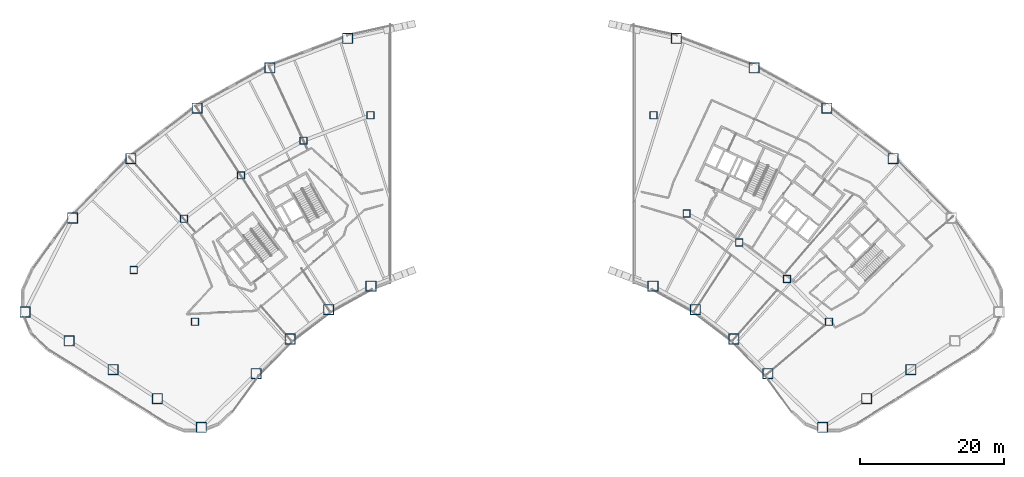
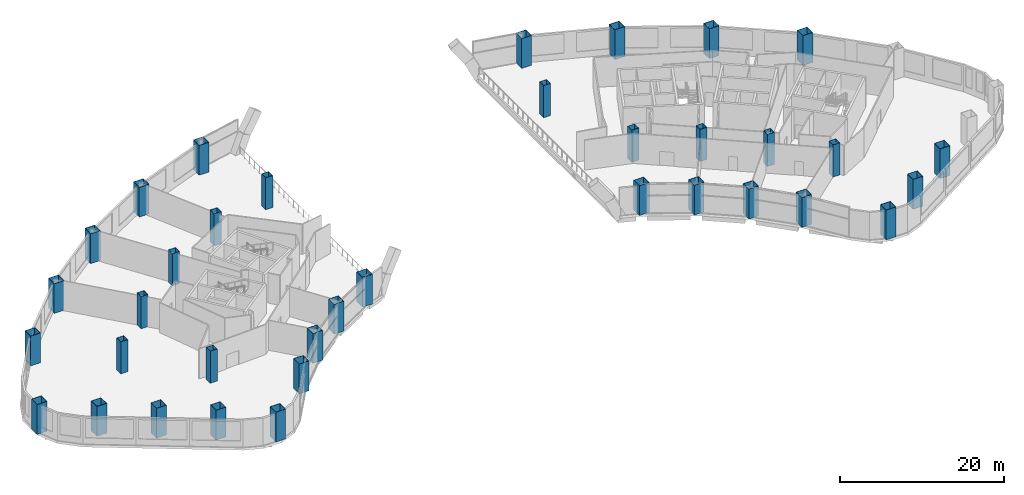
# One storey, part 1 of 20: 36 columns.
"""IFC4 building model written with IfcOpenShell, lengths in metres."""

from ifc_helpers import new_model, si_unit, direction, frame, origin, origin_2d, place, context, subcontext, project, spatial, hollow_rectangle, extrude, material, material_profile, profile_set, type_object, element, save


model = new_model("IFC4")

# Units and contexts
model_context = context("Model", 3, precision=1e-05, world=origin(), true_north=direction((0.0, 1.0)))
body_context = subcontext(model_context, "Body", "Model", "MODEL_VIEW")
ifc_project = project(units=[si_unit("LENGTHUNIT", "METRE"), si_unit("AREAUNIT", "SQUARE_METRE"), si_unit("VOLUMEUNIT", "CUBIC_METRE"), si_unit("PLANEANGLEUNIT", "RADIAN"), si_unit("MASSUNIT", "GRAM", prefix="KILO")], contexts=[model_context])

# Site, building, storey
site_placement = place(None, origin())
site = spatial("IfcSite", under=ifc_project, at=site_placement, CompositionType="ELEMENT")
building_placement = place(site_placement, origin())
building = spatial("IfcBuilding", under=site, at=building_placement, Name="Tuul Gate Civic Tower", CompositionType="ELEMENT")
storey_placement = place(building_placement, frame((0.0, 0.0, 12.300048828125)))
storey = spatial("IfcBuildingStorey", under=building, at=storey_placement, Name="Level 02", CompositionType="ELEMENT", Elevation=12.300048828125)

# Columns
ifc_material_1 = material(Name="Steel S355", Category="steel")
ifc_material_profile_1 = material_profile(ifc_material_1, hollow_rectangle(XDim=1.0, YDim=1.0, WallThickness=0.0400390625, at=origin_2d()), Name="BOX1000x1000x40")
ifc_profile_set_1 = profile_set([ifc_material_profile_1], Name="Steel S355")
column_type_1 = type_object("IfcColumnType", Name="STR-COLUMN-BOX1000x1000x40", PredefinedType="COLUMN", material=ifc_profile_set_1)
for number, where, z_axis, x_axis, name in (
    (1, (-52.471435546875, -15.52392578125, 0.0), (0.0, 0.0, 1.0), (1.0, 0.0, 0.0), "Interior column"),
    (2, (-45.513916015625, -8.42626953125, 0.0), (0.0, 0.0, 1.0), (1.0, 0.0, 0.0), "Interior column"),
    (3, (-37.606689453125, -2.40576171875, 0.0), (0.0, 0.0, 1.0), (1.0, 0.0, 0.0), "Interior column"),
    (4, (-28.9140625, 2.4130859375, 0.0), (0.0, 0.0, 1.0), (1.0, 0.0, 0.0), "Interior column"),
    (5, (-19.617919921875, 5.927978515625, 0.0), (0.0, 0.0, 1.0), (1.0, 0.0, 0.0), "Interior column"),
    (6, (19.617919921875, 5.927978515625, 0.0), (0.0, 0.0, 1.0), (1.0, 0.0, 0.0), "Interior column"),
    (7, (-43.981689453125, -22.719970703125, 0.0), (0.0, 0.0, 1.0), (1.0, 0.0, 0.0), "Interior column"),
    (8, (24.236083984375, -7.68505859375, 0.0), (0.0, 0.0, 1.0), (1.0, 0.0, 0.0), "Interior column"),
    (9, (31.522216796875, -11.724365234375, 0.0), (0.0, 0.0, 1.0), (1.0, 0.0, 0.0), "Interior column"),
    (10, (38.14990234375, -16.770751953125, 0.0), (0.0, 0.0, 1.0), (1.0, 0.0, 0.0), "Interior column"),
    (11, (43.981689453125, -22.719970703125, 0.0), (0.0, 0.0, 1.0), (1.0, 0.0, 0.0), "Interior column"),
):
    element("IfcColumn", number, at=place(storey_placement, frame(where, z_axis=z_axis, x_axis=x_axis)), inside=storey, type_object=column_type_1, Name=name, PredefinedType="COLUMN", context=body_context, shape_type="SweptSolid", body=[
        extrude(hollow_rectangle(XDim=1.0, YDim=1.0, WallThickness=0.0400390625, at=origin_2d()), origin(), (0.0, 0.0, 1.0), 4.800048828125),
    ])
ifc_material_2 = material(Name="Steel S355", Category="steel")
ifc_material_profile_2 = material_profile(ifc_material_2, hollow_rectangle(XDim=1.39990234375, YDim=1.39990234375, WallThickness=0.0400390625, at=origin_2d()), Name="BOX1400x1400x40")
ifc_profile_set_2 = profile_set([ifc_material_profile_2], Name="Steel S355")
column_type_2 = type_object("IfcColumnType", Name="STR-COLUMN-BOX1400x1400x40", PredefinedType="COLUMN", material=ifc_profile_set_2)
for number, where, z_axis, x_axis, name in (
    (12, (52.8779296875, -0.08203125, 0.0), (0.0, 0.0, 1.0), (1.0, 0.0, 0.0), "Column"),
    (13, (43.69091796875, 6.9130859375, 0.0), (0.0, 0.0, 1.0), (1.0, 0.0, 0.0), "Column"),
    (14, (33.592041015625, 12.510986328125, 0.0), (0.0, 0.0, 1.0), (1.0, 0.0, 0.0), "Column"),
    (15, (22.7919921875, 16.594970703125, 0.0), (0.0, 0.0, 1.0), (1.0, 0.0, 0.0), "Column"),
    (16, (-22.7919921875, 16.594970703125, 0.0), (0.0, 0.0, 1.0), (1.0, 0.0, 0.0), "Column"),
    (17, (-33.592041015625, 12.510986328125, 0.0), (0.0, 0.0, 1.0), (1.0, 0.0, 0.0), "Column"),
    (18, (-43.69091796875, 6.9130859375, 0.0), (0.0, 0.0, 1.0), (1.0, 0.0, 0.0), "Column"),
    (19, (-52.8779296875, -0.08203125, 0.0), (0.0, 0.0, 1.0), (1.0, 0.0, 0.0), "Column"),
    (20, (-60.9609375, -8.327880859375, 0.0), (0.0, 0.0, 1.0), (1.0, 0.0, 0.0), "Column"),
    (21, (-67.56201171875, -21.366943359375, 0.0), (0.0, 0.0, 1.0), (1.0, 0.0, 0.0), "Column"),
    (22, (-61.447021484375, -25.368896484375, 0.0), (0.0, 0.0, 1.0), (1.0, 0.0, 0.0), "Column"),
    (23, (-55.33203125, -29.37109375, 0.0), (0.0, 0.0, 1.0), (1.0, 0.0, 0.0), "Column"),
    (24, (-49.218017578125, -33.3720703125, 0.0), (0.0, 0.0, 1.0), (1.0, 0.0, 0.0), "Column"),
    (25, (-43.10302734375, -37.3740234375, 0.0), (0.0, 0.0, 1.0), (1.0, 0.0, 0.0), "Column"),
    (26, (-35.491943359375, -29.916015625, 0.0), (0.0, 0.0, 1.0), (1.0, 0.0, 0.0), "Column"),
    (27, (-30.785888671875, -25.114990234375, 0.0), (0.0, 0.0, 1.0), (1.0, 0.0, 0.0), "Column"),
    (28, (-25.43798828125, -21.04296875, 0.0), (0.0, 0.0, 1.0), (1.0, 0.0, 0.0), "Column"),
    (29, (-19.55810546875, -17.782958984375, 0.0), (0.0, 0.0, 1.0), (1.0, 0.0, 0.0), "Column"),
    (30, (19.55810546875, -17.782958984375, 0.0), (0.0, 0.0, 1.0), (1.0, 0.0, 0.0), "Column"),
    (31, (25.43798828125, -21.04296875, 0.0), (0.0, 0.0, 1.0), (1.0, 0.0, 0.0), "Column"),
    (32, (30.785888671875, -25.114990234375, 0.0), (0.0, 0.0, 1.0), (1.0, 0.0, 0.0), "Column"),
    (33, (35.491943359375, -29.916015625, 0.0), (0.0, 0.0, 1.0), (1.0, 0.0, 0.0), "Column"),
    (34, (43.10302734375, -37.3740234375, 0.0), (0.0, 0.0, 1.0), (1.0, 0.0, 0.0), "Column"),
    (35, (49.218017578125, -33.3720703125, 0.0), (0.0, 0.0, 1.0), (1.0, 0.0, 0.0), "Column"),
    (36, (55.33203125, -29.37109375, 0.0), (0.0, 0.0, 1.0), (1.0, 0.0, 0.0), "Column"),
):
    element("IfcColumn", number, at=place(storey_placement, frame(where, z_axis=z_axis, x_axis=x_axis)), inside=storey, type_object=column_type_2, Name=name, PredefinedType="COLUMN", context=body_context, shape_type="SweptSolid", body=[
        extrude(hollow_rectangle(XDim=1.39990234375, YDim=1.39990234375, WallThickness=0.0400390625, at=origin_2d()), origin(), (0.0, 0.0, 1.0), 4.449951171875),
    ])

save(model, "model.ifc")
